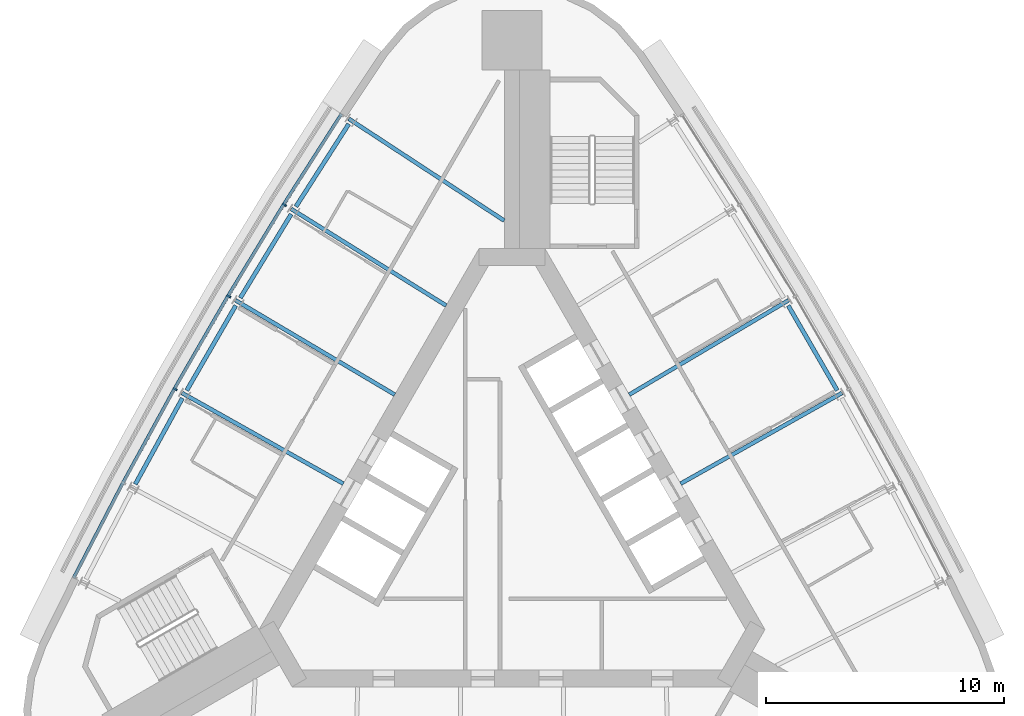
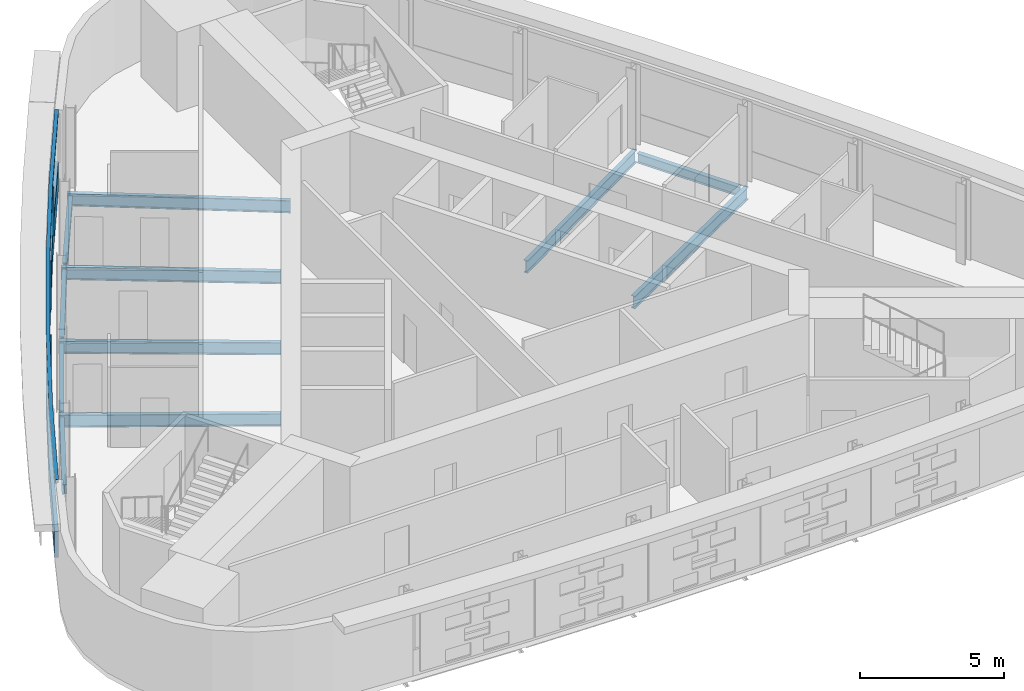
# One storey, part 3 of 9: 11 beams, 5 members, 1 element without a shape of its own.
"""IFC4 building model written with IfcOpenShell, lengths in metres."""

from ifc_helpers import new_model, si_unit, direction, frame, origin, origin_2d, place, context, subcontext, project, spatial, polyline, rectangle, i_section, outline, extrude, material, material_profile, profile_set, type_object, element, aggregate, save


model = new_model("IFC4")

# Units and contexts
model_context = context("Model", 3, precision=1e-05, world=origin(), true_north=direction((0.0, 1.0)))
body_context = subcontext(model_context, "Body", "Model", "MODEL_VIEW")
ifc_project = project(units=[si_unit("LENGTHUNIT", "METRE"), si_unit("AREAUNIT", "SQUARE_METRE"), si_unit("VOLUMEUNIT", "CUBIC_METRE"), si_unit("PLANEANGLEUNIT", "RADIAN"), si_unit("MASSUNIT", "GRAM", prefix="KILO")], contexts=[model_context])

# Site, building, storey
site_placement = place(None, origin())
site = spatial("IfcSite", under=ifc_project, at=site_placement, CompositionType="ELEMENT")
building_placement = place(site_placement, origin())
building = spatial("IfcBuilding", under=site, at=building_placement, Name="Noor Cloister Tower", CompositionType="ELEMENT")
storey_placement = place(building_placement, frame((0.0, 0.0, 236.39990234375)))
storey = spatial("IfcBuildingStorey", under=building, at=storey_placement, Name="L61", CompositionType="ELEMENT", Elevation=236.39990234375)

# Curtain wall, members
ifc_material_1 = material(Name="Aluminium 6063-T6 anodised", Category="aluminium")
curtain_wall_type = type_object("IfcCurtainWallType", Name="Ribbon curtain wall, upper tower CW5", PredefinedType="NOTDEFINED", material=ifc_material_1)
curtain_wall_placement = place(storey_placement, origin())
curtain_wall = element("IfcCurtainWall", 1, at=curtain_wall_placement, inside=storey, type_object=curtain_wall_type, Name="CW5 L61 NW run 1", PredefinedType="NOTDEFINED")
ifc_material_2 = material(Name="Aluminium 6063-T6 anodised", Category="aluminium")
member_type_1 = type_object("IfcMemberType", Name="Head transom CW5 150", PredefinedType="USERDEFINED", material=ifc_material_2)
member_1_placement = place(storey_placement, frame((0.0, 0.0, 3.150146484375)))
member_1 = element("IfcMember", 2, at=member_1_placement, type_object=member_type_1, Name="CW5 head transom", ObjectType="TRANSOM", PredefinedType="USERDEFINED", context=body_context, shape_type="SweptSolid", body=[
    extrude(outline(polyline([(-7.212646484375, 17.147705078125), (-9.63671875, 13.3564453125), (-11.974365234375, 9.511474609375), (-14.224365234375, 5.6142578125), (-16.385498046875, 1.66748046875), (-18.45654296875, -2.32763671875), (-18.332275390625, -2.39208984375), (-16.26171875, 1.6015625), (-14.102294921875, 5.545654296875), (-11.853759765625, 9.43994140625), (-9.517822265625, 13.282470703125), (-7.0947265625, 17.072265625), (-7.212646484375, 17.147705078125)])), origin(), (0.0, 0.0, 1.0), 0.14990234375),
])
ifc_material_3 = material(Name="Aluminium 6063-T6 anodised", Category="aluminium")
ifc_material_profile_1 = material_profile(ifc_material_3, rectangle(XDim=0.179931640625, YDim=0.070068359375, at=origin_2d()), Name="180 x 70 mullion")
ifc_profile_set_1 = profile_set([ifc_material_profile_1], Name="Aluminium 6063-T6 anodised")
member_type_2 = type_object("IfcMemberType", Name="Mullion CW5 70 x 180", PredefinedType="MULLION", material=ifc_profile_set_1)
member_2_placement = place(storey_placement, frame((-9.5517578125, 13.303466796875, 1.10009765625), z_axis=(0.0, 0.0, 1.0), x_axis=(0.848540969148, -0.529129685121, 0.0)))
member_2 = element("IfcMember", 3, at=member_2_placement, type_object=member_type_2, Name="CW5 mullion 2", PredefinedType="MULLION", context=body_context, shape_type="SweptSolid", body=[
    extrude(rectangle(XDim=0.179931640625, YDim=0.070068359375, at=origin_2d()), origin(), (0.0, 0.0, 1.0), 2.050048828125),
])
member_3_placement = place(storey_placement, frame((-11.88818359375, 9.46044921875, 1.10009765625), z_axis=(0.0, 0.0, 1.0), x_axis=(0.860307353002, -0.509775694174, 0.0)))
member_3 = element("IfcMember", 4, at=member_3_placement, type_object=member_type_2, Name="CW5 mullion 3", PredefinedType="MULLION", context=body_context, shape_type="SweptSolid", body=[
    extrude(rectangle(XDim=0.179931640625, YDim=0.070068359375, at=origin_2d()), origin(), (0.0, 0.0, 1.0), 2.050048828125),
])
member_4_placement = place(storey_placement, frame((-14.13720703125, 5.5654296875, 1.10009765625), z_axis=(0.0, 0.0, 1.0), x_axis=(0.871632377887, -0.490160175676, 0.0)))
member_4 = element("IfcMember", 5, at=member_4_placement, type_object=member_type_2, Name="CW5 mullion 4", PredefinedType="MULLION", context=body_context, shape_type="SweptSolid", body=[
    extrude(rectangle(XDim=0.179931640625, YDim=0.070068359375, at=origin_2d()), origin(), (0.0, 0.0, 1.0), 2.050048828125),
])

# Beams
ifc_material_4 = material(Name="Steel ASTM A992 Gr 50", Category="steel")
ifc_material_profile_2 = material_profile(ifc_material_4, i_section(OverallWidth=0.166015625, OverallDepth=0.528076171875, WebThickness=0.009765625, FlangeThickness=0.013671875, FilletRadius=0.0126953125, at=origin_2d()), Name="W530x74")
ifc_profile_set_2 = profile_set([ifc_material_profile_2], Name="Steel ASTM A992 Gr 50")
beam_type_1 = type_object("IfcBeamType", Name="Radial beam W530x74", PredefinedType="BEAM", material=ifc_profile_set_2)
beam_1_placement = place(storey_placement, frame((-6.849609375, 16.90966796875, -0.4638671875), z_axis=(0.836338925819, -0.548212733489, 0.0), x_axis=(0.548212733489, 0.836338925819, 0.0)))
element("IfcBeam", 6, at=beam_1_placement, inside=storey, type_object=beam_type_1, Name="Radial beam NW 01 L61", PredefinedType="BEAM", context=body_context, shape_type="SweptSolid", body=[
    extrude(i_section(OverallWidth=0.166015625, OverallDepth=0.528076171875, WebThickness=0.009765625, FlangeThickness=0.013671875, FilletRadius=0.0126953125, at=origin_2d()), origin(), (0.0, 0.0, 1.0), 7.801513671875),
])
beam_2_placement = place(storey_placement, frame((-9.268310546875, 13.126953125, -0.4638671875), z_axis=(0.848529236207, -0.529148500237, 0.0), x_axis=(0.529148500237, 0.848529236207, 0.0)))
element("IfcBeam", 7, at=beam_2_placement, inside=storey, type_object=beam_type_1, Name="Radial beam NW 02 L61", PredefinedType="BEAM", context=body_context, shape_type="SweptSolid", body=[
    extrude(i_section(OverallWidth=0.166015625, OverallDepth=0.528076171875, WebThickness=0.009765625, FlangeThickness=0.013671875, FilletRadius=0.0126953125, at=origin_2d()), origin(), (0.0, 0.0, 1.0), 7.666259765625),
])
beam_3_placement = place(storey_placement, frame((-11.60107421875, 9.2900390625, -0.4638671875), z_axis=(0.860323710739, -0.509748087529, 0.0), x_axis=(0.509748087529, 0.860323710739, 0.0)))
element("IfcBeam", 8, at=beam_3_placement, inside=storey, type_object=beam_type_1, Name="Radial beam NW 03 L61", PredefinedType="BEAM", context=body_context, shape_type="SweptSolid", body=[
    extrude(i_section(OverallWidth=0.166015625, OverallDepth=0.528076171875, WebThickness=0.009765625, FlangeThickness=0.013671875, FilletRadius=0.0126953125, at=origin_2d()), origin(), (0.0, 0.0, 1.0), 7.76416015625),
])
for number, where, z_axis, x_axis, name in (
    (9, (-13.845947265625, 5.401611328125, -0.4638671875), (0.871628438301, -0.49016718122, 0.0), (0.49016718122, 0.871628438301, 0.0), "Radial beam NW 04 L61"),
    (10, (13.845947265625, 5.401611328125, -0.4638671875), (-0.871628438301, -0.49016718122, 0.0), (0.49016718122, -0.871628438301, 0.0), "Radial beam NE 03 L61"),
):
    element("IfcBeam", number, at=place(storey_placement, frame(where, z_axis=z_axis, x_axis=x_axis)), inside=storey, type_object=beam_type_1, Name=name, PredefinedType="BEAM", context=body_context, shape_type="SweptSolid", body=[
        extrude(i_section(OverallWidth=0.166015625, OverallDepth=0.528076171875, WebThickness=0.009765625, FlangeThickness=0.013671875, FilletRadius=0.0126953125, at=origin_2d()), origin(), (0.0, 0.0, 1.0), 7.763916015625),
    ])
beam_4_placement = place(storey_placement, frame((11.60107421875, 9.2900390625, -0.4638671875), z_axis=(-0.860323710739, -0.509748087529, 0.0), x_axis=(0.509748087529, -0.860323710739, 0.0)))
element("IfcBeam", 11, at=beam_4_placement, inside=storey, type_object=beam_type_1, Name="Radial beam NE 04 L61", PredefinedType="BEAM", context=body_context, shape_type="SweptSolid", body=[
    extrude(i_section(OverallWidth=0.166015625, OverallDepth=0.528076171875, WebThickness=0.009765625, FlangeThickness=0.013671875, FilletRadius=0.0126953125, at=origin_2d()), origin(), (0.0, 0.0, 1.0), 7.76416015625),
])

# Member
ifc_material_5 = material(Name="Aluminium 6063-T6 anodised", Category="aluminium")
member_type_3 = type_object("IfcMemberType", Name="Sill transom CW5 1100", PredefinedType="USERDEFINED", material=ifc_material_5)
member_5_placement = place(storey_placement, origin())
member_5 = element("IfcMember", 12, at=member_5_placement, type_object=member_type_3, Name="CW5 sill transom", ObjectType="TRANSOM", PredefinedType="USERDEFINED", context=body_context, shape_type="SweptSolid", body=[
    extrude(outline(polyline([(-7.212646484375, 17.147705078125), (-9.63671875, 13.3564453125), (-11.974365234375, 9.511474609375), (-14.224365234375, 5.6142578125), (-16.385498046875, 1.66748046875), (-18.45654296875, -2.32763671875), (-18.332275390625, -2.39208984375), (-16.26171875, 1.6015625), (-14.102294921875, 5.545654296875), (-11.853759765625, 9.43994140625), (-9.517822265625, 13.282470703125), (-7.0947265625, 17.072265625), (-7.212646484375, 17.147705078125)])), origin(), (0.0, 0.0, 1.0), 1.10009765625),
])

aggregate(curtain_wall, [member_2, member_3, member_4, member_5, member_1])

# Beams
ifc_material_6 = material(Name="Steel ASTM A992 Gr 50", Category="steel")
ifc_material_profile_3 = material_profile(ifc_material_6, i_section(OverallWidth=0.177978515625, OverallDepth=0.406005859375, WebThickness=0.0078125, FlangeThickness=0.0126953125, FilletRadius=0.01025390625, at=origin_2d()), Name="W410x60")
ifc_profile_set_3 = profile_set([ifc_material_profile_3], Name="Steel ASTM A992 Gr 50")
beam_type_2 = type_object("IfcBeamType", Name="Spandrel beam W410x60", PredefinedType="SPANDREL", material=ifc_profile_set_3)
for number, where, z_axis, x_axis, name in (
    (13, (-6.85302734375, 16.68896484375, -0.40283203125), (-0.538728678653, -0.842479323661, 0.0), (0.842479323661, -0.538728678653, 0.0), "Spandrel beam NW 01 L61"),
    (14, (-9.266845703125, 12.906005859375, -0.40283203125), (-0.519504501884, -0.854467712978, 0.0), (0.854467712978, -0.519504501884, 0.0), "Spandrel beam NW 02 L61"),
    (15, (-11.594482421875, 9.069580078125, -0.40283203125), (-0.499980988965, -0.866036379533, 0.0), (0.866036379533, -0.499980988965, 0.0), "Spandrel beam NW 03 L61"),
    (16, (-13.83447265625, 5.18115234375, -0.40283203125), (-0.480273321949, -0.877118883746, 0.0), (0.877118883746, -0.480273321949, 0.0), "Spandrel beam NW 04 L61"),
    (17, (13.651611328125, 5.50634765625, -0.40283203125), (-0.499980988965, 0.866036379533, 0.0), (-0.866036379533, -0.499980988965, 0.0), "Spandrel beam NE 03 L61"),
):
    element("IfcBeam", number, at=place(storey_placement, frame(where, z_axis=z_axis, x_axis=x_axis)), inside=storey, type_object=beam_type_2, Name=name, PredefinedType="SPANDREL", context=body_context, shape_type="SweptSolid", body=[
        extrude(i_section(OverallWidth=0.177978515625, OverallDepth=0.406005859375, WebThickness=0.0078125, FlangeThickness=0.0126953125, FilletRadius=0.01025390625, at=origin_2d()), origin(), (0.0, 0.0, 1.0), 4.114501953125),
    ])

save(model, "model.ifc")
